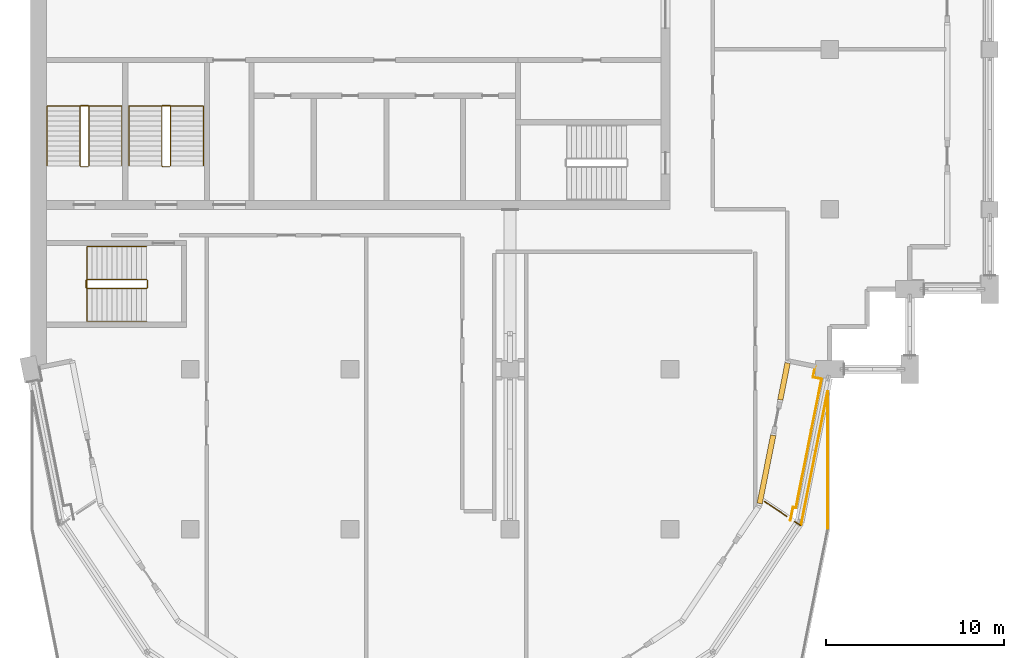
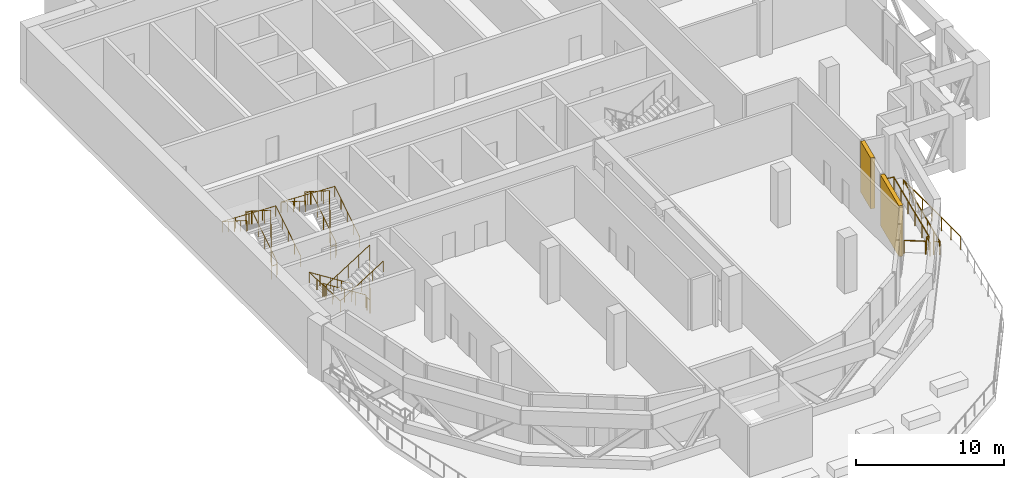
# One storey, part 16 of 18: 11 railings, 2 shading devices.
"""IFC4 building model written with IfcOpenShell, lengths in metres."""

from ifc_helpers import new_model, si_unit, direction, frame, origin, origin_2d, place, context, subcontext, project, spatial, rectangle, circle, extrude, material, layer, layer_set, type_object, element, save


model = new_model("IFC4")

# Units and contexts
model_context = context("Model", 3, precision=1e-05, world=origin(), true_north=direction((0.0, 1.0)))
body_context = subcontext(model_context, "Body", "Model", "MODEL_VIEW")
ifc_project = project(units=[si_unit("LENGTHUNIT", "METRE"), si_unit("AREAUNIT", "SQUARE_METRE"), si_unit("VOLUMEUNIT", "CUBIC_METRE"), si_unit("PLANEANGLEUNIT", "RADIAN"), si_unit("MASSUNIT", "GRAM", prefix="KILO")], contexts=[model_context])

# Site, building, storey
site_placement = place(None, origin())
site = spatial("IfcSite", under=ifc_project, at=site_placement, CompositionType="ELEMENT")
building_placement = place(site_placement, origin())
building = spatial("IfcBuilding", under=site, at=building_placement, Name="Hunhe Ridgeline Campus", CompositionType="ELEMENT")
storey_placement = place(building_placement, frame((0.0, 0.0, 276.199951171875)))
storey = spatial("IfcBuildingStorey", under=building, at=storey_placement, Name="L71", CompositionType="ELEMENT", Elevation=276.199951171875)

# Railings
ifc_material_1 = material(Name="Steel Q355", Category="steel")
railing_type_1 = type_object("IfcRailingType", Name="Loggia guard 1100 Steel Q355", PredefinedType="GUARDRAIL", material=ifc_material_1)
railing_1_placement = place(storey_placement, frame((42.77734375, 45.490966796875, 0.0)))
element("IfcRailing", 1, at=railing_1_placement, inside=storey, type_object=railing_type_1, Name="Loggia guard 2", PredefinedType="GUARDRAIL", context=body_context, shape_type="SweptSolid", body=[
    extrude(circle(Radius=0.02392578125, at=origin_2d()), frame((0.0, 0.0, 1.076171875), z_axis=(0.194989189992, 0.980805391393, 0.0), x_axis=(-0.980805391393, 0.194989189992, 0.0)), (0.0, 0.0, 1.0), 0.75),
    extrude(circle(Radius=0.02392578125, at=origin_2d()), frame((0.146240234375, 0.735595703125, 1.076171875), z_axis=(0.981020136562, -0.193905883508, 0.0), x_axis=(0.193905883508, 0.981020136562, 0.0)), (0.0, 0.0, 1.0), 0.169921875),
    extrude(circle(Radius=0.02392578125, at=origin_2d()), frame((0.31298828125, 0.70263671875, 1.076171875), z_axis=(0.195088338544, 0.980785674938, 0.0), x_axis=(-0.980785674938, 0.195088338544, 0.0)), (0.0, 0.0, 1.0), 7.40087890625),
    extrude(circle(Radius=0.02392578125, at=origin_2d()), frame((1.7568359375, 7.96142578125, 1.076171875), z_axis=(-0.980789056368, 0.195071337999, 0.0), x_axis=(-0.195071337999, -0.980789056368, 0.0)), (0.0, 0.0, 1.0), 0.494384765625),
    extrude(circle(Radius=0.02392578125, at=origin_2d()), frame((1.27197265625, 8.057861328125, 1.076171875), z_axis=(0.195144205131, 0.980774560847, 0.0), x_axis=(-0.980774560847, 0.195144205131, 0.0)), (0.0, 0.0, 1.0), 0.6279296875),
    extrude(circle(Radius=0.02099609375, at=origin_2d()), origin(), (0.0, 0.0, 1.0), 1.052001953125),
    extrude(circle(Radius=0.02099609375, at=origin_2d()), frame((0.146240234375, 0.735595703125, 0.0)), (0.0, 0.0, 1.0), 1.052001953125),
    extrude(circle(Radius=0.02099609375, at=origin_2d()), frame((0.31298828125, 0.70263671875, 0.0)), (0.0, 0.0, 1.0), 1.052001953125),
    extrude(circle(Radius=0.02099609375, at=origin_2d()), frame((0.601806640625, 2.154296875, 0.0)), (0.0, 0.0, 1.0), 1.052001953125),
    extrude(circle(Radius=0.02099609375, at=origin_2d()), frame((0.890625, 3.606201171875, 0.0)), (0.0, 0.0, 1.0), 1.052001953125),
    extrude(circle(Radius=0.02099609375, at=origin_2d()), frame((1.17919921875, 5.057861328125, 0.0)), (0.0, 0.0, 1.0), 1.052001953125),
    extrude(circle(Radius=0.02099609375, at=origin_2d()), frame((1.468017578125, 6.509765625, 0.0)), (0.0, 0.0, 1.0), 1.052001953125),
    extrude(circle(Radius=0.02099609375, at=origin_2d()), frame((1.7568359375, 7.96142578125, 0.0)), (0.0, 0.0, 1.0), 1.052001953125),
    extrude(circle(Radius=0.02099609375, at=origin_2d()), frame((1.27197265625, 8.057861328125, 0.0)), (0.0, 0.0, 1.0), 1.052001953125),
    extrude(circle(Radius=0.02099609375, at=origin_2d()), frame((1.39453125, 8.673828125, 0.0)), (0.0, 0.0, 1.0), 1.052001953125),
])
railing_2_placement = place(storey_placement, frame((43.018310546875, 45.42578125, 0.080078125)))
element("IfcRailing", 2, at=railing_2_placement, inside=storey, type_object=railing_type_1, Name="Terrace guard 1", PredefinedType="GUARDRAIL", context=body_context, shape_type="SweptSolid", body=[
    extrude(circle(Radius=0.02392578125, at=origin_2d()), frame((0.0, 0.0, 1.076171875), z_axis=(0.831559431336, -0.555435785808, 0.0), x_axis=(0.555435785808, 0.831559431336, 0.0)), (0.0, 0.0, 1.0), 0.3828125),
    extrude(circle(Radius=0.02099609375, at=origin_2d()), origin(), (0.0, 0.0, 1.0), 1.052001953125),
    extrude(circle(Radius=0.02099609375, at=origin_2d()), frame((0.318359375, -0.212646484375, 0.0)), (0.0, 0.0, 1.0), 1.052001953125),
])
railing_3_placement = place(storey_placement, frame((43.377685546875, 45.230224609375, 0.080078125)))
element("IfcRailing", 3, at=railing_3_placement, inside=storey, type_object=railing_type_1, Name="Terrace guard 2", PredefinedType="GUARDRAIL", context=body_context, shape_type="SweptSolid", body=[
    extrude(circle(Radius=0.02392578125, at=origin_2d()), frame((0.0, 0.0, 1.076171875), z_axis=(0.195129185157, 0.980777549243, 0.0), x_axis=(-0.980777549243, 0.195129185157, 0.0)), (0.0, 0.0, 1.0), 7.65966796875),
    extrude(circle(Radius=0.02099609375, at=origin_2d()), origin(), (0.0, 0.0, 1.0), 1.052001953125),
    extrude(circle(Radius=0.02099609375, at=origin_2d()), frame((0.2490234375, 1.251953125, 0.0)), (0.0, 0.0, 1.0), 1.052001953125),
    extrude(circle(Radius=0.02099609375, at=origin_2d()), frame((0.498291015625, 2.504150390625, 0.0)), (0.0, 0.0, 1.0), 1.052001953125),
    extrude(circle(Radius=0.02099609375, at=origin_2d()), frame((0.747314453125, 3.75634765625, 0.0)), (0.0, 0.0, 1.0), 1.052001953125),
    extrude(circle(Radius=0.02099609375, at=origin_2d()), frame((0.996337890625, 5.00830078125, 0.0)), (0.0, 0.0, 1.0), 1.052001953125),
    extrude(circle(Radius=0.02099609375, at=origin_2d()), frame((1.24560546875, 6.26025390625, 0.0)), (0.0, 0.0, 1.0), 1.052001953125),
    extrude(circle(Radius=0.02099609375, at=origin_2d()), frame((1.49462890625, 7.512451171875, 0.0)), (0.0, 0.0, 1.0), 1.052001953125),
])
railing_4_placement = place(storey_placement, frame((44.8798828125, 52.74169921875, 0.080078125)))
element("IfcRailing", 4, at=railing_4_placement, inside=storey, type_object=railing_type_1, Name="Terrace guard 3", PredefinedType="GUARDRAIL", context=body_context, shape_type="SweptSolid", body=[
    extrude(circle(Radius=0.02392578125, at=origin_2d()), frame((0.0, 0.0, 1.076171875), z_axis=(0.0, -1.0, 0.0), x_axis=(1.0, 0.0, 0.0)), (0.0, 0.0, 1.0), 7.68994140625),
    extrude(circle(Radius=0.02099609375, at=origin_2d()), origin(), (0.0, 0.0, 1.0), 1.052001953125),
    extrude(circle(Radius=0.02099609375, at=origin_2d()), frame((0.0, -1.28173828125, 0.0)), (0.0, 0.0, 1.0), 1.052001953125),
    extrude(circle(Radius=0.02099609375, at=origin_2d()), frame((0.0, -2.563232421875, 0.0)), (0.0, 0.0, 1.0), 1.052001953125),
    extrude(circle(Radius=0.02099609375, at=origin_2d()), frame((0.0, -3.844970703125, 0.0)), (0.0, 0.0, 1.0), 1.052001953125),
    extrude(circle(Radius=0.02099609375, at=origin_2d()), frame((0.0, -5.126708984375, 0.0)), (0.0, 0.0, 1.0), 1.052001953125),
    extrude(circle(Radius=0.02099609375, at=origin_2d()), frame((0.0, -6.408203125, 0.0)), (0.0, 0.0, 1.0), 1.052001953125),
    extrude(circle(Radius=0.02099609375, at=origin_2d()), frame((0.0, -7.68994140625, 0.0)), (0.0, 0.0, 1.0), 1.052001953125),
])
railing_5_placement = place(storey_placement, frame((41.326171875, 46.555908203125, 0.080078125)))
element("IfcRailing", 5, at=railing_5_placement, inside=storey, type_object=railing_type_1, Name="Terrace guard 16", PredefinedType="GUARDRAIL", context=body_context, shape_type="SweptSolid", body=[
    extrude(circle(Radius=0.02392578125, at=origin_2d()), frame((0.0, 0.0, 1.076171875), z_axis=(0.831597673178, -0.555378528542, 0.0), x_axis=(0.555378528542, 0.831597673178, 0.0)), (0.0, 0.0, 1.0), 1.49462890625),
    extrude(circle(Radius=0.02099609375, at=origin_2d()), origin(), (0.0, 0.0, 1.0), 1.052001953125),
    extrude(circle(Radius=0.02099609375, at=origin_2d()), frame((1.242919921875, -0.830078125, 0.0)), (0.0, 0.0, 1.0), 1.052001953125),
])

# Shading devices
ifc_material_2 = material(Name="Aluminium 6063", Category="aluminium")
ifc_layer = layer(ifc_material_2, 0.300048828125)
ifc_layer_set = layer_set([ifc_layer], Name="Louvre bank 300 Aluminium 6063")
shading_device_type = type_object("IfcShadingDeviceType", Name="Louvre bank 300 Aluminium 6063", PredefinedType="USERDEFINED", material=ifc_layer_set)
shading_device_1_placement = place(storey_placement, frame((41.430419921875, 48.362060546875, 0.0), z_axis=(0.0, 0.0, 1.0), x_axis=(0.19510412713, 0.980782534294, 0.0)))
element("IfcShadingDevice", 6, at=shading_device_1_placement, inside=storey, type_object=shading_device_type, Name="Louvre bank 13", ObjectType="LOUVRE", PredefinedType="USERDEFINED", context=body_context, shape_type="SweptSolid", body=[
    extrude(rectangle(XDim=3.910888671875, YDim=0.300048828125, at=origin_2d()), origin(), (0.0, 0.0, 1.0), 4.199951171875),
])
shading_device_2_placement = place(storey_placement, frame((42.416015625, 53.31591796875, 0.0), z_axis=(0.0, 0.0, 1.0), x_axis=(0.195104256884, 0.980782508483, 0.0)))
element("IfcShadingDevice", 7, at=shading_device_2_placement, inside=storey, type_object=shading_device_type, Name="Louvre bank 14", ObjectType="LOUVRE", PredefinedType="USERDEFINED", context=body_context, shape_type="SweptSolid", body=[
    extrude(rectangle(XDim=2.111083984375, YDim=0.300048828125, at=origin_2d()), origin(), (0.0, 0.0, 1.0), 4.199951171875),
])

# Railings
ifc_material_3 = material(Name="Stainless steel balustrade", Category="steel")
railing_type_2 = type_object("IfcRailingType", Name="Stair guard 1100 stainless", PredefinedType="GUARDRAIL", material=ifc_material_3)
railing_6_placement = place(storey_placement, frame((3.300048828125, 65.449951171875, 0.177001953125)))
element("IfcRailing", 8, at=railing_6_placement, inside=storey, type_object=railing_type_2, Name="L71 stair S3 guard", PredefinedType="GUARDRAIL", context=body_context, shape_type="SweptSolid", body=[
    extrude(circle(Radius=0.02392578125, at=origin_2d()), frame((0.0, 0.0, 1.076171875), z_axis=(0.0, 0.845389635667, 0.534150132366), x_axis=(-1.0, 0.0, 0.0)), (0.0, 0.0, 1.0), 3.974609375),
    extrude(circle(Radius=0.02392578125, at=origin_2d()), frame((0.0, 3.360107421875, 3.19921875), z_axis=(-0.707106781187, 0.707106781187, 0.0), x_axis=(-0.707106781187, -0.707106781187, 0.0)), (0.0, 0.0, 1.0), 0.07080078125),
    extrude(circle(Radius=0.02392578125, at=origin_2d()), frame((-0.050048828125, 3.41015625, 3.19921875), z_axis=(-1.0, 0.0, 0.0), x_axis=(0.0, -1.0, 0.0)), (0.0, 0.0, 1.0), 0.39990234375),
    extrude(circle(Radius=0.02392578125, at=origin_2d()), frame((-0.449951171875, 3.41015625, 3.19921875), z_axis=(-0.262545553595, -0.262545553595, 0.928514762713), x_axis=(0.707106781187, -0.707106781187, 0.0)), (0.0, 0.0, 1.0), 0.190673828125),
    extrude(circle(Radius=0.02392578125, at=origin_2d()), frame((-0.5, 3.360107421875, 3.3759765625), z_axis=(0.0, -0.845389635667, 0.534150132366), x_axis=(1.0, 0.0, 0.0)), (0.0, 0.0, 1.0), 3.974609375),
    extrude(circle(Radius=0.02392578125, at=origin_2d()), frame((-0.5, 0.0, 5.4990234375), z_axis=(0.010878661383, -0.010878661383, -0.999881647723), x_axis=(0.707106781187, 0.707106781187, 0.0)), (0.0, 0.0, 1.0), 4.6005859375),
    extrude(circle(Radius=0.02392578125, at=origin_2d()), frame((-0.449951171875, -0.050048828125, 0.89892578125), z_axis=(1.0, 0.0, 0.0), x_axis=(0.0, 1.0, 0.0)), (0.0, 0.0, 1.0), 0.39990234375),
    extrude(circle(Radius=0.02099609375, at=origin_2d()), origin(), (0.0, 0.0, 1.0), 1.052001953125),
    extrude(circle(Radius=0.02099609375, at=origin_2d()), frame((0.0, 0.840087890625, 0.53076171875)), (0.0, 0.0, 1.0), 1.052001953125),
    extrude(circle(Radius=0.02099609375, at=origin_2d()), frame((0.0, 1.68017578125, 1.0615234375)), (0.0, 0.0, 1.0), 1.052001953125),
    extrude(circle(Radius=0.02099609375, at=origin_2d()), frame((0.0, 2.52001953125, 1.59228515625)), (0.0, 0.0, 1.0), 1.052001953125),
    extrude(circle(Radius=0.02099609375, at=origin_2d()), frame((0.0, 3.360107421875, 2.123046875)), (0.0, 0.0, 1.0), 1.052001953125),
    extrude(circle(Radius=0.02099609375, at=origin_2d()), frame((-0.050048828125, 3.41015625, 2.123046875)), (0.0, 0.0, 1.0), 1.052001953125),
    extrude(circle(Radius=0.02099609375, at=origin_2d()), frame((-0.449951171875, 3.41015625, 2.123046875)), (0.0, 0.0, 1.0), 1.052001953125),
    extrude(circle(Radius=0.02099609375, at=origin_2d()), frame((-0.5, 3.360107421875, 2.300048828125)), (0.0, 0.0, 1.0), 1.052001953125),
    extrude(circle(Radius=0.02099609375, at=origin_2d()), frame((-0.5, 2.52001953125, 2.830810546875)), (0.0, 0.0, 1.0), 1.052001953125),
    extrude(circle(Radius=0.02099609375, at=origin_2d()), frame((-0.5, 1.68017578125, 3.361572265625)), (0.0, 0.0, 1.0), 1.052001953125),
    extrude(circle(Radius=0.02099609375, at=origin_2d()), frame((-0.5, 0.840087890625, 3.892333984375)), (0.0, 0.0, 1.0), 1.052001953125),
    extrude(circle(Radius=0.02099609375, at=origin_2d()), frame((-0.5, 0.0, 4.423095703125)), (0.0, 0.0, 1.0), 1.052001953125),
    extrude(circle(Radius=0.02099609375, at=origin_2d()), frame((-0.487548828125, -0.012451171875, 3.27294921875)), (0.0, 0.0, 1.0), 1.052001953125),
    extrude(circle(Radius=0.02099609375, at=origin_2d()), frame((-0.47509765625, -0.02490234375, 2.123046875)), (0.0, 0.0, 1.0), 1.052001953125),
    extrude(circle(Radius=0.02099609375, at=origin_2d()), frame((-0.46240234375, -0.03759765625, 0.97314453125)), (0.0, 0.0, 1.0), 1.052001953125),
    extrude(circle(Radius=0.02099609375, at=origin_2d()), frame((-0.449951171875, -0.050048828125, -0.177001953125)), (0.0, 0.0, 1.0), 1.052001953125),
    extrude(circle(Radius=0.02099609375, at=origin_2d()), frame((-0.050048828125, -0.050048828125, -0.177001953125)), (0.0, 0.0, 1.0), 1.052001953125),
])
railing_7_placement = place(storey_placement, frame((7.89990234375, 65.449951171875, 0.177001953125)))
element("IfcRailing", 9, at=railing_7_placement, inside=storey, type_object=railing_type_2, Name="L71 stair S4 guard", PredefinedType="GUARDRAIL", context=body_context, shape_type="SweptSolid", body=[
    extrude(circle(Radius=0.02392578125, at=origin_2d()), frame((0.0, 0.0, 1.076171875), z_axis=(0.0, 0.845389635667, 0.534150132366), x_axis=(-1.0, 0.0, 0.0)), (0.0, 0.0, 1.0), 3.974609375),
    extrude(circle(Radius=0.02392578125, at=origin_2d()), frame((0.0, 3.360107421875, 3.19921875), z_axis=(-0.705375805398, 0.708833529934, 0.0), x_axis=(-0.708833529934, -0.705375805398, 0.0)), (0.0, 0.0, 1.0), 0.070556640625),
    extrude(circle(Radius=0.02392578125, at=origin_2d()), frame((-0.0498046875, 3.41015625, 3.19921875), z_axis=(-1.0, 0.0, 0.0), x_axis=(0.0, -1.0, 0.0)), (0.0, 0.0, 1.0), 0.400146484375),
    extrude(circle(Radius=0.02392578125, at=origin_2d()), frame((-0.449951171875, 3.41015625, 3.19921875), z_axis=(-0.262545553595, -0.262545553595, 0.928514762713), x_axis=(0.707106781187, -0.707106781187, 0.0)), (0.0, 0.0, 1.0), 0.190673828125),
    extrude(circle(Radius=0.02392578125, at=origin_2d()), frame((-0.5, 3.360107421875, 3.3759765625), z_axis=(0.0, -0.845389635667, 0.534150132366), x_axis=(1.0, 0.0, 0.0)), (0.0, 0.0, 1.0), 3.974609375),
    extrude(circle(Radius=0.02392578125, at=origin_2d()), frame((-0.5, 0.0, 5.4990234375), z_axis=(0.010878661383, -0.010878661383, -0.999881647723), x_axis=(0.707106781187, 0.707106781187, 0.0)), (0.0, 0.0, 1.0), 4.6005859375),
    extrude(circle(Radius=0.02392578125, at=origin_2d()), frame((-0.449951171875, -0.050048828125, 0.89892578125), z_axis=(1.0, 0.0, 0.0), x_axis=(0.0, 1.0, 0.0)), (0.0, 0.0, 1.0), 0.400146484375),
    extrude(circle(Radius=0.02099609375, at=origin_2d()), origin(), (0.0, 0.0, 1.0), 1.052001953125),
    extrude(circle(Radius=0.02099609375, at=origin_2d()), frame((0.0, 0.840087890625, 0.53076171875)), (0.0, 0.0, 1.0), 1.052001953125),
    extrude(circle(Radius=0.02099609375, at=origin_2d()), frame((0.0, 1.68017578125, 1.0615234375)), (0.0, 0.0, 1.0), 1.052001953125),
    extrude(circle(Radius=0.02099609375, at=origin_2d()), frame((0.0, 2.52001953125, 1.59228515625)), (0.0, 0.0, 1.0), 1.052001953125),
    extrude(circle(Radius=0.02099609375, at=origin_2d()), frame((0.0, 3.360107421875, 2.123046875)), (0.0, 0.0, 1.0), 1.052001953125),
    extrude(circle(Radius=0.02099609375, at=origin_2d()), frame((-0.0498046875, 3.41015625, 2.123046875)), (0.0, 0.0, 1.0), 1.052001953125),
    extrude(circle(Radius=0.02099609375, at=origin_2d()), frame((-0.449951171875, 3.41015625, 2.123046875)), (0.0, 0.0, 1.0), 1.052001953125),
    extrude(circle(Radius=0.02099609375, at=origin_2d()), frame((-0.5, 3.360107421875, 2.300048828125)), (0.0, 0.0, 1.0), 1.052001953125),
    extrude(circle(Radius=0.02099609375, at=origin_2d()), frame((-0.5, 2.52001953125, 2.830810546875)), (0.0, 0.0, 1.0), 1.052001953125),
    extrude(circle(Radius=0.02099609375, at=origin_2d()), frame((-0.5, 1.68017578125, 3.361572265625)), (0.0, 0.0, 1.0), 1.052001953125),
    extrude(circle(Radius=0.02099609375, at=origin_2d()), frame((-0.5, 0.840087890625, 3.892333984375)), (0.0, 0.0, 1.0), 1.052001953125),
    extrude(circle(Radius=0.02099609375, at=origin_2d()), frame((-0.5, 0.0, 4.423095703125)), (0.0, 0.0, 1.0), 1.052001953125),
    extrude(circle(Radius=0.02099609375, at=origin_2d()), frame((-0.487548828125, -0.012451171875, 3.27294921875)), (0.0, 0.0, 1.0), 1.052001953125),
    extrude(circle(Radius=0.02099609375, at=origin_2d()), frame((-0.47509765625, -0.02490234375, 2.123046875)), (0.0, 0.0, 1.0), 1.052001953125),
    extrude(circle(Radius=0.02099609375, at=origin_2d()), frame((-0.46240234375, -0.03759765625, 0.97314453125)), (0.0, 0.0, 1.0), 1.052001953125),
    extrude(circle(Radius=0.02099609375, at=origin_2d()), frame((-0.449951171875, -0.050048828125, -0.177001953125)), (0.0, 0.0, 1.0), 1.052001953125),
    extrude(circle(Radius=0.02099609375, at=origin_2d()), frame((-0.0498046875, -0.050048828125, -0.177001953125)), (0.0, 0.0, 1.0), 1.052001953125),
])
railing_8_placement = place(storey_placement, frame((6.550048828125, 59.050048828125, 0.177001953125)))
element("IfcRailing", 10, at=railing_8_placement, inside=storey, type_object=railing_type_2, Name="L71 stair W2 guard", PredefinedType="GUARDRAIL", context=body_context, shape_type="SweptSolid", body=[
    extrude(circle(Radius=0.02392578125, at=origin_2d()), frame((0.0, 0.0, 1.076171875), z_axis=(-0.845389635667, 0.0, 0.534150132366), x_axis=(0.0, -1.0, 0.0)), (0.0, 0.0, 1.0), 3.974609375),
    extrude(circle(Radius=0.02392578125, at=origin_2d()), frame((-3.360107421875, 0.0, 3.19921875), z_axis=(-0.707106781187, -0.707106781187, 0.0), x_axis=(0.707106781187, -0.707106781187, 0.0)), (0.0, 0.0, 1.0), 0.07080078125),
    extrude(circle(Radius=0.02392578125, at=origin_2d()), frame((-3.41015625, -0.050048828125, 3.19921875), z_axis=(0.0, -1.0, 0.0), x_axis=(1.0, 0.0, 0.0)), (0.0, 0.0, 1.0), 0.39990234375),
    extrude(circle(Radius=0.02392578125, at=origin_2d()), frame((-3.41015625, -0.449951171875, 3.19921875), z_axis=(0.262545553595, -0.262545553595, 0.928514762713), x_axis=(0.707106781187, 0.707106781187, 0.0)), (0.0, 0.0, 1.0), 0.190673828125),
    extrude(circle(Radius=0.02392578125, at=origin_2d()), frame((-3.360107421875, -0.5, 3.3759765625), z_axis=(0.845389635667, 0.0, 0.534150132366), x_axis=(0.0, 1.0, 0.0)), (0.0, 0.0, 1.0), 3.974609375),
    extrude(circle(Radius=0.02392578125, at=origin_2d()), frame((0.0, -0.5, 5.4990234375), z_axis=(0.010878661383, 0.010878661383, -0.999881647723), x_axis=(-0.707106781187, 0.707106781187, 0.0)), (0.0, 0.0, 1.0), 4.6005859375),
    extrude(circle(Radius=0.02392578125, at=origin_2d()), frame((0.050048828125, -0.449951171875, 0.89892578125), z_axis=(0.0, 1.0, 0.0), x_axis=(-1.0, 0.0, 0.0)), (0.0, 0.0, 1.0), 0.39990234375),
    extrude(circle(Radius=0.02099609375, at=origin_2d()), origin(), (0.0, 0.0, 1.0), 1.052001953125),
    extrude(circle(Radius=0.02099609375, at=origin_2d()), frame((-0.840087890625, 0.0, 0.53076171875)), (0.0, 0.0, 1.0), 1.052001953125),
    extrude(circle(Radius=0.02099609375, at=origin_2d()), frame((-1.68017578125, 0.0, 1.0615234375)), (0.0, 0.0, 1.0), 1.052001953125),
    extrude(circle(Radius=0.02099609375, at=origin_2d()), frame((-2.52001953125, 0.0, 1.59228515625)), (0.0, 0.0, 1.0), 1.052001953125),
    extrude(circle(Radius=0.02099609375, at=origin_2d()), frame((-3.360107421875, 0.0, 2.123046875)), (0.0, 0.0, 1.0), 1.052001953125),
    extrude(circle(Radius=0.02099609375, at=origin_2d()), frame((-3.41015625, -0.050048828125, 2.123046875)), (0.0, 0.0, 1.0), 1.052001953125),
    extrude(circle(Radius=0.02099609375, at=origin_2d()), frame((-3.41015625, -0.449951171875, 2.123046875)), (0.0, 0.0, 1.0), 1.052001953125),
    extrude(circle(Radius=0.02099609375, at=origin_2d()), frame((-3.360107421875, -0.5, 2.300048828125)), (0.0, 0.0, 1.0), 1.052001953125),
    extrude(circle(Radius=0.02099609375, at=origin_2d()), frame((-2.52001953125, -0.5, 2.830810546875)), (0.0, 0.0, 1.0), 1.052001953125),
    extrude(circle(Radius=0.02099609375, at=origin_2d()), frame((-1.68017578125, -0.5, 3.361572265625)), (0.0, 0.0, 1.0), 1.052001953125),
    extrude(circle(Radius=0.02099609375, at=origin_2d()), frame((-0.840087890625, -0.5, 3.892333984375)), (0.0, 0.0, 1.0), 1.052001953125),
    extrude(circle(Radius=0.02099609375, at=origin_2d()), frame((0.0, -0.5, 4.423095703125)), (0.0, 0.0, 1.0), 1.052001953125),
    extrude(circle(Radius=0.02099609375, at=origin_2d()), frame((0.012451171875, -0.487548828125, 3.27294921875)), (0.0, 0.0, 1.0), 1.052001953125),
    extrude(circle(Radius=0.02099609375, at=origin_2d()), frame((0.02490234375, -0.47509765625, 2.123046875)), (0.0, 0.0, 1.0), 1.052001953125),
    extrude(circle(Radius=0.02099609375, at=origin_2d()), frame((0.03759765625, -0.46240234375, 0.97314453125)), (0.0, 0.0, 1.0), 1.052001953125),
    extrude(circle(Radius=0.02099609375, at=origin_2d()), frame((0.050048828125, -0.449951171875, -0.177001953125)), (0.0, 0.0, 1.0), 1.052001953125),
    extrude(circle(Radius=0.02099609375, at=origin_2d()), frame((0.050048828125, -0.050048828125, -0.177001953125)), (0.0, 0.0, 1.0), 1.052001953125),
])
ifc_material_4 = material(Name="Stainless steel handrail", Category="steel")
railing_type_3 = type_object("IfcRailingType", Name="Stair handrail 900 stainless", PredefinedType="HANDRAIL", material=ifc_material_4)
railing_9_placement = place(storey_placement, frame((5.14990234375, 65.449951171875, 0.177001953125)))
element("IfcRailing", 11, at=railing_9_placement, inside=storey, type_object=railing_type_3, Name="L71 stair S3 handrail", PredefinedType="HANDRAIL", context=body_context, shape_type="SweptSolid", body=[
    extrude(circle(Radius=0.02392578125, at=origin_2d()), frame((0.0, 0.0, 0.8759765625), z_axis=(0.0, 0.845389635667, 0.534150132366), x_axis=(-1.0, 0.0, 0.0)), (0.0, 0.0, 1.0), 3.974609375),
    extrude(circle(Radius=0.02392578125, at=origin_2d()), frame((0.0, 3.360107421875, 2.9990234375), z_axis=(-0.999113130752, 0.0, 0.042106436075), x_axis=(0.0, -1.0, 0.0)), (0.0, 0.0, 1.0), 4.20361328125),
    extrude(circle(Radius=0.02392578125, at=origin_2d()), frame((-4.199951171875, 3.360107421875, 3.17578125), z_axis=(0.0, -0.845389635667, 0.534150132366), x_axis=(1.0, 0.0, 0.0)), (0.0, 0.0, 1.0), 3.974609375),
    extrude(circle(Radius=0.02099609375, at=origin_2d()), origin(), (0.0, 0.0, 1.0), 0.851806640625),
    extrude(circle(Radius=0.02099609375, at=origin_2d()), frame((0.0, 0.840087890625, 0.53076171875)), (0.0, 0.0, 1.0), 0.851806640625),
    extrude(circle(Radius=0.02099609375, at=origin_2d()), frame((0.0, 1.68017578125, 1.0615234375)), (0.0, 0.0, 1.0), 0.851806640625),
    extrude(circle(Radius=0.02099609375, at=origin_2d()), frame((0.0, 2.52001953125, 1.59228515625)), (0.0, 0.0, 1.0), 0.851806640625),
    extrude(circle(Radius=0.02099609375, at=origin_2d()), frame((0.0, 3.360107421875, 2.123046875)), (0.0, 0.0, 1.0), 0.851806640625),
    extrude(circle(Radius=0.02099609375, at=origin_2d()), frame((-1.050048828125, 3.360107421875, 2.167236328125)), (0.0, 0.0, 1.0), 0.851806640625),
    extrude(circle(Radius=0.02099609375, at=origin_2d()), frame((-2.10009765625, 3.360107421875, 2.21142578125)), (0.0, 0.0, 1.0), 0.851806640625),
    extrude(circle(Radius=0.02099609375, at=origin_2d()), frame((-3.14990234375, 3.360107421875, 2.255859375)), (0.0, 0.0, 1.0), 0.851806640625),
    extrude(circle(Radius=0.02099609375, at=origin_2d()), frame((-4.199951171875, 3.360107421875, 2.300048828125)), (0.0, 0.0, 1.0), 0.851806640625),
    extrude(circle(Radius=0.02099609375, at=origin_2d()), frame((-4.199951171875, 2.52001953125, 2.830810546875)), (0.0, 0.0, 1.0), 0.851806640625),
    extrude(circle(Radius=0.02099609375, at=origin_2d()), frame((-4.199951171875, 1.68017578125, 3.361572265625)), (0.0, 0.0, 1.0), 0.851806640625),
    extrude(circle(Radius=0.02099609375, at=origin_2d()), frame((-4.199951171875, 0.840087890625, 3.892333984375)), (0.0, 0.0, 1.0), 0.851806640625),
    extrude(circle(Radius=0.02099609375, at=origin_2d()), frame((-4.199951171875, 0.0, 4.423095703125)), (0.0, 0.0, 1.0), 0.851806640625),
])
railing_10_placement = place(storey_placement, frame((9.75, 65.449951171875, 0.177001953125)))
element("IfcRailing", 12, at=railing_10_placement, inside=storey, type_object=railing_type_3, Name="L71 stair S4 handrail", PredefinedType="HANDRAIL", context=body_context, shape_type="SweptSolid", body=[
    extrude(circle(Radius=0.02392578125, at=origin_2d()), frame((0.0, 0.0, 0.8759765625), z_axis=(0.0, 0.845389635667, 0.534150132366), x_axis=(-1.0, 0.0, 0.0)), (0.0, 0.0, 1.0), 3.974609375),
    extrude(circle(Radius=0.02392578125, at=origin_2d()), frame((0.0, 3.360107421875, 2.9990234375), z_axis=(-0.999113130752, 0.0, 0.042106436075), x_axis=(0.0, -1.0, 0.0)), (0.0, 0.0, 1.0), 4.20361328125),
    extrude(circle(Radius=0.02392578125, at=origin_2d()), frame((-4.199951171875, 3.360107421875, 3.17578125), z_axis=(0.0, -0.845389635667, 0.534150132366), x_axis=(1.0, 0.0, 0.0)), (0.0, 0.0, 1.0), 3.974609375),
    extrude(circle(Radius=0.02099609375, at=origin_2d()), origin(), (0.0, 0.0, 1.0), 0.851806640625),
    extrude(circle(Radius=0.02099609375, at=origin_2d()), frame((0.0, 0.840087890625, 0.53076171875)), (0.0, 0.0, 1.0), 0.851806640625),
    extrude(circle(Radius=0.02099609375, at=origin_2d()), frame((0.0, 1.68017578125, 1.0615234375)), (0.0, 0.0, 1.0), 0.851806640625),
    extrude(circle(Radius=0.02099609375, at=origin_2d()), frame((0.0, 2.52001953125, 1.59228515625)), (0.0, 0.0, 1.0), 0.851806640625),
    extrude(circle(Radius=0.02099609375, at=origin_2d()), frame((0.0, 3.360107421875, 2.123046875)), (0.0, 0.0, 1.0), 0.851806640625),
    extrude(circle(Radius=0.02099609375, at=origin_2d()), frame((-1.050048828125, 3.360107421875, 2.167236328125)), (0.0, 0.0, 1.0), 0.851806640625),
    extrude(circle(Radius=0.02099609375, at=origin_2d()), frame((-2.10009765625, 3.360107421875, 2.21142578125)), (0.0, 0.0, 1.0), 0.851806640625),
    extrude(circle(Radius=0.02099609375, at=origin_2d()), frame((-3.14990234375, 3.360107421875, 2.255859375)), (0.0, 0.0, 1.0), 0.851806640625),
    extrude(circle(Radius=0.02099609375, at=origin_2d()), frame((-4.199951171875, 3.360107421875, 2.300048828125)), (0.0, 0.0, 1.0), 0.851806640625),
    extrude(circle(Radius=0.02099609375, at=origin_2d()), frame((-4.199951171875, 2.52001953125, 2.830810546875)), (0.0, 0.0, 1.0), 0.851806640625),
    extrude(circle(Radius=0.02099609375, at=origin_2d()), frame((-4.199951171875, 1.68017578125, 3.361572265625)), (0.0, 0.0, 1.0), 0.851806640625),
    extrude(circle(Radius=0.02099609375, at=origin_2d()), frame((-4.199951171875, 0.840087890625, 3.892333984375)), (0.0, 0.0, 1.0), 0.851806640625),
    extrude(circle(Radius=0.02099609375, at=origin_2d()), frame((-4.199951171875, 0.0, 4.423095703125)), (0.0, 0.0, 1.0), 0.851806640625),
])
railing_11_placement = place(storey_placement, frame((6.550048828125, 60.89990234375, 0.177001953125)))
element("IfcRailing", 13, at=railing_11_placement, inside=storey, type_object=railing_type_3, Name="L71 stair W2 handrail", PredefinedType="HANDRAIL", context=body_context, shape_type="SweptSolid", body=[
    extrude(circle(Radius=0.02392578125, at=origin_2d()), frame((0.0, 0.0, 0.8759765625), z_axis=(-0.845389635667, 0.0, 0.534150132366), x_axis=(0.0, -1.0, 0.0)), (0.0, 0.0, 1.0), 3.974609375),
    extrude(circle(Radius=0.02392578125, at=origin_2d()), frame((-3.360107421875, 0.0, 2.9990234375), z_axis=(0.0, -0.999113130752, 0.042106436075), x_axis=(1.0, 0.0, 0.0)), (0.0, 0.0, 1.0), 4.20361328125),
    extrude(circle(Radius=0.02392578125, at=origin_2d()), frame((-3.360107421875, -4.199951171875, 3.17578125), z_axis=(0.845389635667, 0.0, 0.534150132366), x_axis=(0.0, 1.0, 0.0)), (0.0, 0.0, 1.0), 3.974609375),
    extrude(circle(Radius=0.02099609375, at=origin_2d()), origin(), (0.0, 0.0, 1.0), 0.851806640625),
    extrude(circle(Radius=0.02099609375, at=origin_2d()), frame((-0.840087890625, 0.0, 0.53076171875)), (0.0, 0.0, 1.0), 0.851806640625),
    extrude(circle(Radius=0.02099609375, at=origin_2d()), frame((-1.68017578125, 0.0, 1.0615234375)), (0.0, 0.0, 1.0), 0.851806640625),
    extrude(circle(Radius=0.02099609375, at=origin_2d()), frame((-2.52001953125, 0.0, 1.59228515625)), (0.0, 0.0, 1.0), 0.851806640625),
    extrude(circle(Radius=0.02099609375, at=origin_2d()), frame((-3.360107421875, 0.0, 2.123046875)), (0.0, 0.0, 1.0), 0.851806640625),
    extrude(circle(Radius=0.02099609375, at=origin_2d()), frame((-3.360107421875, -1.050048828125, 2.167236328125)), (0.0, 0.0, 1.0), 0.851806640625),
    extrude(circle(Radius=0.02099609375, at=origin_2d()), frame((-3.360107421875, -2.10009765625, 2.21142578125)), (0.0, 0.0, 1.0), 0.851806640625),
    extrude(circle(Radius=0.02099609375, at=origin_2d()), frame((-3.360107421875, -3.14990234375, 2.255859375)), (0.0, 0.0, 1.0), 0.851806640625),
    extrude(circle(Radius=0.02099609375, at=origin_2d()), frame((-3.360107421875, -4.199951171875, 2.300048828125)), (0.0, 0.0, 1.0), 0.851806640625),
    extrude(circle(Radius=0.02099609375, at=origin_2d()), frame((-2.52001953125, -4.199951171875, 2.830810546875)), (0.0, 0.0, 1.0), 0.851806640625),
    extrude(circle(Radius=0.02099609375, at=origin_2d()), frame((-1.68017578125, -4.199951171875, 3.361572265625)), (0.0, 0.0, 1.0), 0.851806640625),
    extrude(circle(Radius=0.02099609375, at=origin_2d()), frame((-0.840087890625, -4.199951171875, 3.892333984375)), (0.0, 0.0, 1.0), 0.851806640625),
    extrude(circle(Radius=0.02099609375, at=origin_2d()), frame((0.0, -4.199951171875, 4.423095703125)), (0.0, 0.0, 1.0), 0.851806640625),
])

save(model, "model.ifc")
